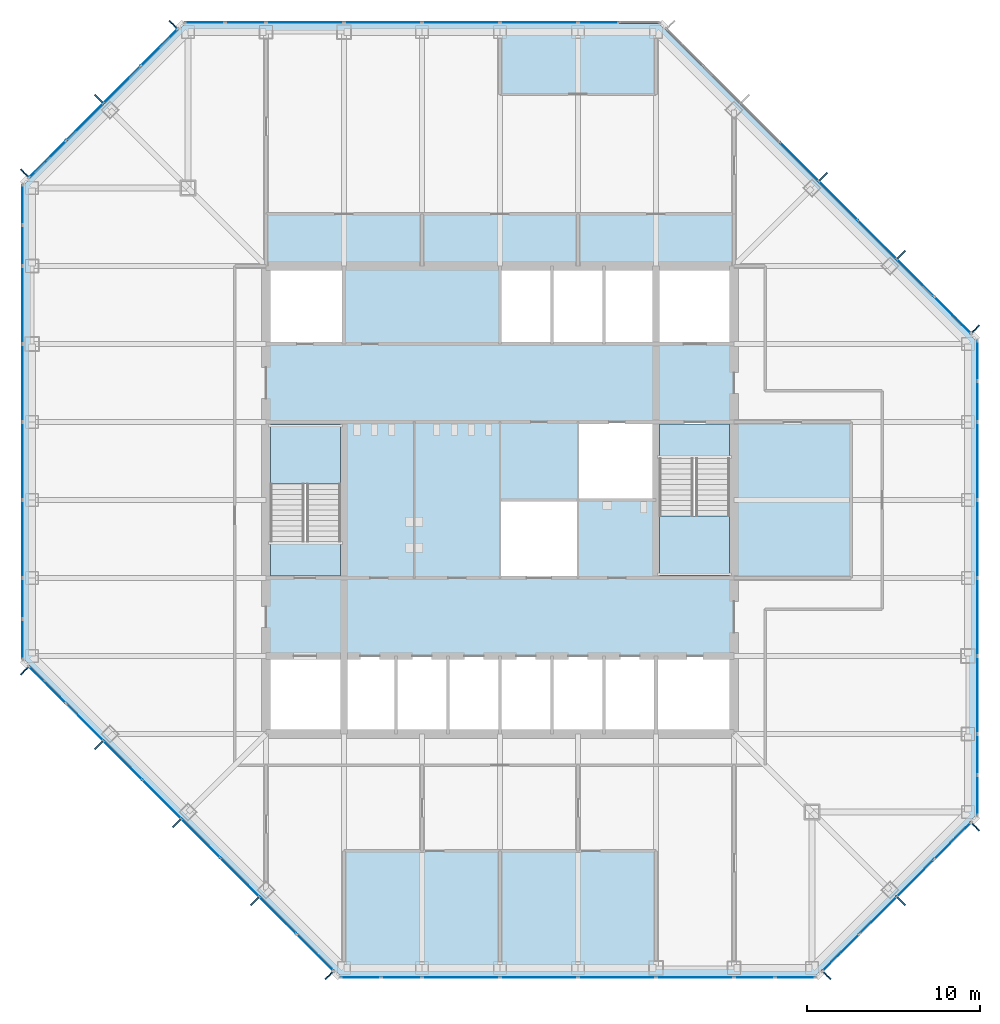
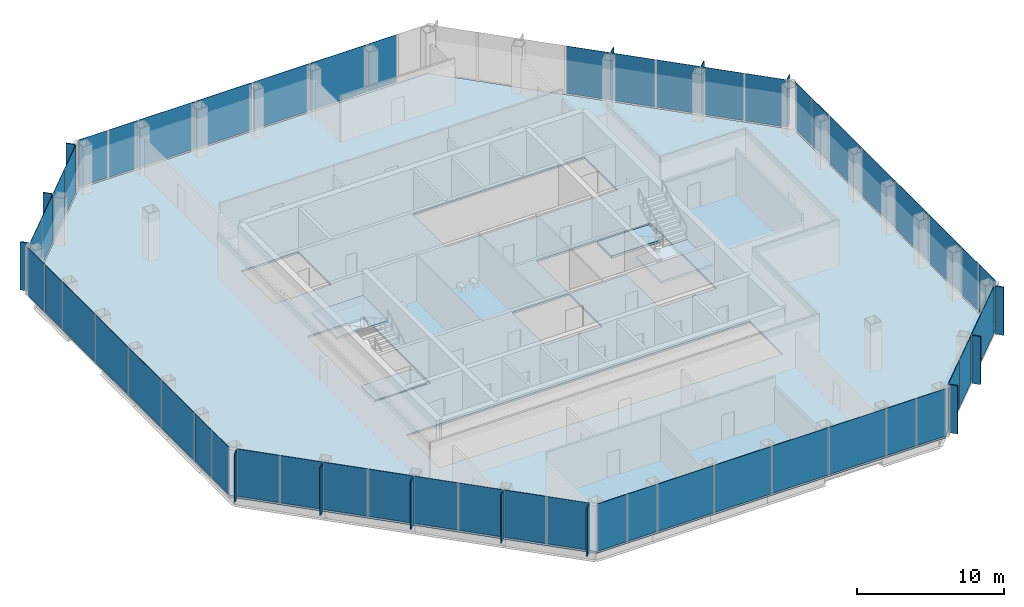
# One storey, part 7 of 12: 66 plates, 5 slabs, 10 elements without a shape of their own.
"""IFC4 building model written with IfcOpenShell, lengths in metres."""

from ifc_helpers import new_model, si_unit, direction, frame, origin, origin_2d, place, context, subcontext, project, spatial, polyline, rectangle, outline, extrude, material, layer, layer_set, type_object, element, aggregate, save


model = new_model("IFC4")

# Units and contexts
model_context = context("Model", 3, precision=1e-05, world=origin(), true_north=direction((0.0, 1.0)))
body_context = subcontext(model_context, "Body", "Model", "MODEL_VIEW")
ifc_project = project(units=[si_unit("LENGTHUNIT", "METRE"), si_unit("AREAUNIT", "SQUARE_METRE"), si_unit("VOLUMEUNIT", "CUBIC_METRE"), si_unit("PLANEANGLEUNIT", "RADIAN"), si_unit("MASSUNIT", "GRAM", prefix="KILO")], contexts=[model_context])

# Site, building, storey
site_placement = place(None, origin())
site = spatial("IfcSite", under=ifc_project, at=site_placement, CompositionType="ELEMENT")
building_placement = place(site_placement, origin())
building = spatial("IfcBuilding", under=site, at=building_placement, Name="Corais Broadcast Tower", CompositionType="ELEMENT")
storey_placement = place(building_placement, frame((0.0, 0.0, 187.60009765625)))
storey = spatial("IfcBuildingStorey", under=building, at=storey_placement, Name="L43", CompositionType="ELEMENT", Elevation=187.60009765625)

# Slab
ifc_material_1 = material(Name="Concrete C30/37", Category="concrete")
ifc_layer_1 = layer(ifc_material_1, 0.159912109375)
ifc_layer_set_1 = layer_set([ifc_layer_1], Name="Concrete C30/37")
slab_type_1 = type_object("IfcSlabType", Name="Composite floor slab 160", PredefinedType="FLOOR", material=ifc_layer_set_1)
slab_1_placement = place(storey_placement, frame((0.0, 0.0, -0.16015625)))
element("IfcSlab", 1, at=slab_1_placement, inside=storey, type_object=slab_type_1, Name="S160 floor slab L43", PredefinedType="FLOOR", context=body_context, shape_type="SweptSolid", body=[
    extrude(outline(polyline([(17.80126953125, -0.47998046875), (-0.47998046875, 17.80126953125), (-0.47998046875, 45.19873046875), (8.80126953125, 54.47998046875), (36.19873046875, 54.47998046875), (54.47998046875, 36.19873046875), (54.47998046875, 8.80126953125), (45.19873046875, -0.47998046875), (17.80126953125, -0.47998046875)]), holes=[polyline([(13.5, 18.0), (40.5, 18.0), (40.5, 13.5), (13.5, 13.5), (13.5, 18.0)]), polyline([(18.0, 22.5), (13.5, 22.5), (13.5, 31.5), (18.0, 31.5), (18.0, 22.5)]), polyline([(18.0, 36.0), (13.5, 36.0), (13.5, 40.5), (18.0, 40.5), (18.0, 36.0)]), polyline([(31.5, 22.5), (27.0, 22.5), (27.0, 27.0), (31.4951171875, 27.0), (31.4951171875, 27.0048828125), (31.5, 27.0048828125), (31.5, 31.5), (40.5, 31.5), (40.5, 22.5), (36.0, 22.5), (36.0, 27.0), (31.5048828125, 27.0), (31.5048828125, 26.9951171875), (31.5, 26.9951171875), (31.5, 22.5)]), polyline([(27.0, 40.5), (40.5, 40.5), (40.5, 36.0), (27.0, 36.0), (27.0, 40.5)])]), origin(), (0.0, 0.0, 1.0), 0.16015625),
])

# Curtain wall, plates
ifc_material_2 = material(Name="Aluminium and glass", Category="aluminium")
curtain_wall_type = type_object("IfcCurtainWallType", Name="Unitised fritted curtain wall CW2", PredefinedType="NOTDEFINED", material=ifc_material_2)
curtain_wall_1_placement = place(storey_placement, origin())
curtain_wall_1 = element("IfcCurtainWall", 2, at=curtain_wall_1_placement, inside=storey, type_object=curtain_wall_type, Name="CW2 curtain wall L43 1", PredefinedType="NOTDEFINED")
ifc_material_3 = material(Name="Ceramic-fritted laminated glass", Category="glass")
ifc_layer_2 = layer(ifc_material_3, 0.028076171875)
ifc_layer_set_2 = layer_set([ifc_layer_2], Name="Ceramic-fritted laminated glass")
plate_type_1 = type_object("IfcPlateType", Name="Fritted glass panel CW2", PredefinedType="CURTAIN_PANEL", material=ifc_layer_set_2)
plate_1_placement = place(storey_placement, frame((16.330322265625, 0.891845703125, 0.06494140625), z_axis=(0.0, 0.0, 1.0), x_axis=(-0.707106781187, 0.707106781187, 0.0)))
plate_1 = element("IfcPlate", 3, at=plate_1_placement, type_object=plate_type_1, Name="CW2 panel 1", PredefinedType="CURTAIN_PANEL", context=body_context, shape_type="SweptSolid", body=[
    extrude(rectangle(XDim=2.9482421875, YDim=0.028076171875, at=origin_2d()), origin(), (0.0, 0.0, 1.0), 3.93505859375),
])
plate_2_placement = place(storey_placement, frame((11.986083984375, 5.236083984375, 0.06494140625), z_axis=(0.0, 0.0, 1.0), x_axis=(-0.707106781187, 0.707106781187, 0.0)))
plate_2 = element("IfcPlate", 4, at=plate_2_placement, type_object=plate_type_1, Name="CW2 panel 3", PredefinedType="CURTAIN_PANEL", context=body_context, shape_type="SweptSolid", body=[
    extrude(rectangle(XDim=3.116943359375, YDim=0.028076171875, at=origin_2d()), origin(), (0.0, 0.0, 1.0), 3.93505859375),
])
plate_3_placement = place(storey_placement, frame((7.486083984375, 9.736083984375, 0.06494140625), z_axis=(0.0, 0.0, 1.0), x_axis=(-0.707106781187, 0.707106781187, 0.0)))
plate_3 = element("IfcPlate", 5, at=plate_3_placement, type_object=plate_type_1, Name="CW2 panel 5", PredefinedType="CURTAIN_PANEL", context=body_context, shape_type="SweptSolid", body=[
    extrude(rectangle(XDim=3.116943359375, YDim=0.028076171875, at=origin_2d()), origin(), (0.0, 0.0, 1.0), 3.93505859375),
])
plate_4_placement = place(storey_placement, frame((3.0341796875, 14.18798828125, 0.06494140625), z_axis=(0.0, 0.0, 1.0), x_axis=(-0.707106781187, 0.707106781187, 0.0)))
plate_4 = element("IfcPlate", 6, at=plate_4_placement, type_object=plate_type_1, Name="CW2 panel 7", PredefinedType="CURTAIN_PANEL", context=body_context, shape_type="SweptSolid", body=[
    extrude(rectangle(XDim=2.98095703125, YDim=0.028076171875, at=origin_2d()), origin(), (0.0, 0.0, 1.0), 3.93505859375),
])

curtain_wall_2_placement = place(storey_placement, origin())
curtain_wall_2 = element("IfcCurtainWall", 7, at=curtain_wall_2_placement, inside=storey, type_object=curtain_wall_type, Name="CW2 curtain wall L43 2", PredefinedType="NOTDEFINED")
plate_5_placement = place(storey_placement, frame((-0.550048828125, 18.970458984375, 0.06494140625), z_axis=(0.0, 0.0, 1.0), x_axis=(0.0, 1.0, 0.0)))
plate_5 = element("IfcPlate", 8, at=plate_5_placement, type_object=plate_type_1, Name="CW2 panel 1", PredefinedType="CURTAIN_PANEL", context=body_context, shape_type="SweptSolid", body=[
    extrude(rectangle(XDim=2.266357421875, YDim=0.028076171875, at=origin_2d()), origin(), (0.0, 0.0, 1.0), 3.93505859375),
])
plate_6_placement = place(storey_placement, frame((-0.550048828125, 24.75, 0.06494140625), z_axis=(0.0, 0.0, 1.0), x_axis=(0.0, 1.0, 0.0)))
plate_6 = element("IfcPlate", 9, at=plate_6_placement, type_object=plate_type_1, Name="CW2 panel 3", PredefinedType="CURTAIN_PANEL", context=body_context, shape_type="SweptSolid", body=[
    extrude(rectangle(XDim=4.43505859375, YDim=0.028076171875, at=origin_2d()), origin(), (0.0, 0.0, 1.0), 3.93505859375),
])
plate_7_placement = place(storey_placement, frame((-0.550048828125, 33.75, 0.06494140625), z_axis=(0.0, 0.0, 1.0), x_axis=(0.0, 1.0, 0.0)))
plate_7 = element("IfcPlate", 10, at=plate_7_placement, type_object=plate_type_1, Name="CW2 panel 5", PredefinedType="CURTAIN_PANEL", context=body_context, shape_type="SweptSolid", body=[
    extrude(rectangle(XDim=4.43505859375, YDim=0.028076171875, at=origin_2d()), origin(), (0.0, 0.0, 1.0), 3.93505859375),
])
plate_8_placement = place(storey_placement, frame((-0.550048828125, 41.681884765625, 0.06494140625), z_axis=(0.0, 0.0, 1.0), x_axis=(0.0, 1.0, 0.0)))
plate_8 = element("IfcPlate", 11, at=plate_8_placement, type_object=plate_type_1, Name="CW2 panel 7", PredefinedType="CURTAIN_PANEL", context=body_context, shape_type="SweptSolid", body=[
    extrude(rectangle(XDim=2.298828125, YDim=0.028076171875, at=origin_2d()), origin(), (0.0, 0.0, 1.0), 3.93505859375),
])

curtain_wall_3_placement = place(storey_placement, origin())
curtain_wall_3 = element("IfcCurtainWall", 12, at=curtain_wall_3_placement, inside=storey, type_object=curtain_wall_type, Name="CW2 curtain wall L43 3", PredefinedType="NOTDEFINED")
plate_9_placement = place(storey_placement, frame((0.891845703125, 46.669677734375, 0.06494140625), z_axis=(0.0, 0.0, 1.0), x_axis=(0.707106781187, 0.707106781187, 0.0)))
plate_9 = element("IfcPlate", 13, at=plate_9_placement, type_object=plate_type_1, Name="CW2 panel 1", PredefinedType="CURTAIN_PANEL", context=body_context, shape_type="SweptSolid", body=[
    extrude(rectangle(XDim=2.9482421875, YDim=0.028076171875, at=origin_2d()), origin(), (0.0, 0.0, 1.0), 3.93505859375),
])
plate_10_placement = place(storey_placement, frame((5.18798828125, 50.9658203125, 0.06494140625), z_axis=(0.0, 0.0, 1.0), x_axis=(0.707106781187, 0.707106781187, 0.0)))
plate_10 = element("IfcPlate", 14, at=plate_10_placement, type_object=plate_type_1, Name="CW2 panel 3", PredefinedType="CURTAIN_PANEL", context=body_context, shape_type="SweptSolid", body=[
    extrude(rectangle(XDim=2.98095703125, YDim=0.028076171875, at=origin_2d()), origin(), (0.0, 0.0, 1.0), 3.93505859375),
])

curtain_wall_4_placement = place(storey_placement, origin())
curtain_wall_4 = element("IfcCurtainWall", 15, at=curtain_wall_4_placement, inside=storey, type_object=curtain_wall_type, Name="CW2 curtain wall L43 4", PredefinedType="NOTDEFINED")
plate_11_placement = place(storey_placement, frame((9.970458984375, 54.550048828125, 0.06494140625), z_axis=(0.0, 0.0, 1.0), x_axis=(1.0, 0.0, 0.0)))
plate_11 = element("IfcPlate", 16, at=plate_11_placement, type_object=plate_type_1, Name="CW2 panel 1", PredefinedType="CURTAIN_PANEL", context=body_context, shape_type="SweptSolid", body=[
    extrude(rectangle(XDim=2.266357421875, YDim=0.028076171875, at=origin_2d()), origin(), (0.0, 0.0, 1.0), 3.93505859375),
])
plate_12_placement = place(storey_placement, frame((15.75, 54.550048828125, 0.06494140625), z_axis=(0.0, 0.0, 1.0), x_axis=(1.0, 0.0, 0.0)))
plate_12 = element("IfcPlate", 17, at=plate_12_placement, type_object=plate_type_1, Name="CW2 panel 3", PredefinedType="CURTAIN_PANEL", context=body_context, shape_type="SweptSolid", body=[
    extrude(rectangle(XDim=4.43505859375, YDim=0.028076171875, at=origin_2d()), origin(), (0.0, 0.0, 1.0), 3.93505859375),
])
plate_13_placement = place(storey_placement, frame((24.75, 54.550048828125, 0.06494140625), z_axis=(0.0, 0.0, 1.0), x_axis=(1.0, 0.0, 0.0)))
plate_13 = element("IfcPlate", 18, at=plate_13_placement, type_object=plate_type_1, Name="CW2 panel 5", PredefinedType="CURTAIN_PANEL", context=body_context, shape_type="SweptSolid", body=[
    extrude(rectangle(XDim=4.43505859375, YDim=0.028076171875, at=origin_2d()), origin(), (0.0, 0.0, 1.0), 3.93505859375),
])
plate_14_placement = place(storey_placement, frame((32.681884765625, 54.550048828125, 0.06494140625), z_axis=(0.0, 0.0, 1.0), x_axis=(1.0, 0.0, 0.0)))
plate_14 = element("IfcPlate", 19, at=plate_14_placement, type_object=plate_type_1, Name="CW2 panel 7", PredefinedType="CURTAIN_PANEL", context=body_context, shape_type="SweptSolid", body=[
    extrude(rectangle(XDim=2.298828125, YDim=0.028076171875, at=origin_2d()), origin(), (0.0, 0.0, 1.0), 3.93505859375),
])

curtain_wall_5_placement = place(storey_placement, origin())
curtain_wall_5 = element("IfcCurtainWall", 20, at=curtain_wall_5_placement, inside=storey, type_object=curtain_wall_type, Name="CW2 curtain wall L43 5", PredefinedType="NOTDEFINED")
plate_15_placement = place(storey_placement, frame((46.513916015625, 44.263916015625, 0.06494140625), z_axis=(0.0, 0.0, 1.0), x_axis=(0.707106781187, -0.707106781187, 0.0)))
plate_15 = element("IfcPlate", 21, at=plate_15_placement, type_object=plate_type_1, Name="CW2 panel 5", PredefinedType="CURTAIN_PANEL", context=body_context, shape_type="SweptSolid", body=[
    extrude(rectangle(XDim=3.116943359375, YDim=0.028076171875, at=origin_2d()), origin(), (0.0, 0.0, 1.0), 3.93505859375),
])
plate_16_placement = place(storey_placement, frame((50.9658203125, 39.81201171875, 0.06494140625), z_axis=(0.0, 0.0, 1.0), x_axis=(0.707106781187, -0.707106781187, 0.0)))
plate_16 = element("IfcPlate", 22, at=plate_16_placement, type_object=plate_type_1, Name="CW2 panel 7", PredefinedType="CURTAIN_PANEL", context=body_context, shape_type="SweptSolid", body=[
    extrude(rectangle(XDim=2.98095703125, YDim=0.028076171875, at=origin_2d()), origin(), (0.0, 0.0, 1.0), 3.93505859375),
])

curtain_wall_6_placement = place(storey_placement, origin())
curtain_wall_6 = element("IfcCurtainWall", 23, at=curtain_wall_6_placement, inside=storey, type_object=curtain_wall_type, Name="CW2 curtain wall L43 6", PredefinedType="NOTDEFINED")
plate_17_placement = place(storey_placement, frame((54.550048828125, 35.029541015625, 0.06494140625), z_axis=(0.0, 0.0, 1.0), x_axis=(0.0, -1.0, 0.0)))
plate_17 = element("IfcPlate", 24, at=plate_17_placement, type_object=plate_type_1, Name="CW2 panel 1", PredefinedType="CURTAIN_PANEL", context=body_context, shape_type="SweptSolid", body=[
    extrude(rectangle(XDim=2.266357421875, YDim=0.028076171875, at=origin_2d()), origin(), (0.0, 0.0, 1.0), 3.93505859375),
])
plate_18_placement = place(storey_placement, frame((54.550048828125, 29.25, 0.06494140625), z_axis=(0.0, 0.0, 1.0), x_axis=(0.0, -1.0, 0.0)))
plate_18 = element("IfcPlate", 25, at=plate_18_placement, type_object=plate_type_1, Name="CW2 panel 3", PredefinedType="CURTAIN_PANEL", context=body_context, shape_type="SweptSolid", body=[
    extrude(rectangle(XDim=4.43505859375, YDim=0.028076171875, at=origin_2d()), origin(), (0.0, 0.0, 1.0), 3.93505859375),
])
plate_19_placement = place(storey_placement, frame((54.550048828125, 20.25, 0.06494140625), z_axis=(0.0, 0.0, 1.0), x_axis=(0.0, -1.0, 0.0)))
plate_19 = element("IfcPlate", 26, at=plate_19_placement, type_object=plate_type_1, Name="CW2 panel 5", PredefinedType="CURTAIN_PANEL", context=body_context, shape_type="SweptSolid", body=[
    extrude(rectangle(XDim=4.43505859375, YDim=0.028076171875, at=origin_2d()), origin(), (0.0, 0.0, 1.0), 3.93505859375),
])
plate_20_placement = place(storey_placement, frame((54.550048828125, 12.318115234375, 0.06494140625), z_axis=(0.0, 0.0, 1.0), x_axis=(0.0, -1.0, 0.0)))
plate_20 = element("IfcPlate", 27, at=plate_20_placement, type_object=plate_type_1, Name="CW2 panel 7", PredefinedType="CURTAIN_PANEL", context=body_context, shape_type="SweptSolid", body=[
    extrude(rectangle(XDim=2.298828125, YDim=0.028076171875, at=origin_2d()), origin(), (0.0, 0.0, 1.0), 3.93505859375),
])

curtain_wall_7_placement = place(storey_placement, origin())
curtain_wall_7 = element("IfcCurtainWall", 28, at=curtain_wall_7_placement, inside=storey, type_object=curtain_wall_type, Name="CW2 curtain wall L43 7", PredefinedType="NOTDEFINED")
plate_21_placement = place(storey_placement, frame((53.108154296875, 7.330322265625, 0.06494140625), z_axis=(0.0, 0.0, 1.0), x_axis=(-0.707106781187, -0.707106781187, 0.0)))
plate_21 = element("IfcPlate", 29, at=plate_21_placement, type_object=plate_type_1, Name="CW2 panel 1", PredefinedType="CURTAIN_PANEL", context=body_context, shape_type="SweptSolid", body=[
    extrude(rectangle(XDim=2.9482421875, YDim=0.028076171875, at=origin_2d()), origin(), (0.0, 0.0, 1.0), 3.93505859375),
])
plate_22_placement = place(storey_placement, frame((48.81201171875, 3.0341796875, 0.06494140625), z_axis=(0.0, 0.0, 1.0), x_axis=(-0.707106781187, -0.707106781187, 0.0)))
plate_22 = element("IfcPlate", 30, at=plate_22_placement, type_object=plate_type_1, Name="CW2 panel 3", PredefinedType="CURTAIN_PANEL", context=body_context, shape_type="SweptSolid", body=[
    extrude(rectangle(XDim=2.98095703125, YDim=0.028076171875, at=origin_2d()), origin(), (0.0, 0.0, 1.0), 3.93505859375),
])

curtain_wall_8_placement = place(storey_placement, origin())
curtain_wall_8 = element("IfcCurtainWall", 31, at=curtain_wall_8_placement, inside=storey, type_object=curtain_wall_type, Name="CW2 curtain wall L43 8", PredefinedType="NOTDEFINED")
plate_23_placement = place(storey_placement, frame((44.029541015625, -0.550048828125, 0.06494140625), z_axis=(0.0, 0.0, 1.0), x_axis=(-1.0, 0.0, 0.0)))
plate_23 = element("IfcPlate", 32, at=plate_23_placement, type_object=plate_type_1, Name="CW2 panel 1", PredefinedType="CURTAIN_PANEL", context=body_context, shape_type="SweptSolid", body=[
    extrude(rectangle(XDim=2.266357421875, YDim=0.028076171875, at=origin_2d()), origin(), (0.0, 0.0, 1.0), 3.93505859375),
])
plate_24_placement = place(storey_placement, frame((38.25, -0.550048828125, 0.06494140625), z_axis=(0.0, 0.0, 1.0), x_axis=(-1.0, 0.0, 0.0)))
plate_24 = element("IfcPlate", 33, at=plate_24_placement, type_object=plate_type_1, Name="CW2 panel 3", PredefinedType="CURTAIN_PANEL", context=body_context, shape_type="SweptSolid", body=[
    extrude(rectangle(XDim=4.43505859375, YDim=0.028076171875, at=origin_2d()), origin(), (0.0, 0.0, 1.0), 3.93505859375),
])
plate_25_placement = place(storey_placement, frame((29.25, -0.550048828125, 0.06494140625), z_axis=(0.0, 0.0, 1.0), x_axis=(-1.0, 0.0, 0.0)))
plate_25 = element("IfcPlate", 34, at=plate_25_placement, type_object=plate_type_1, Name="CW2 panel 5", PredefinedType="CURTAIN_PANEL", context=body_context, shape_type="SweptSolid", body=[
    extrude(rectangle(XDim=4.43505859375, YDim=0.028076171875, at=origin_2d()), origin(), (0.0, 0.0, 1.0), 3.93505859375),
])
plate_26_placement = place(storey_placement, frame((21.318115234375, -0.550048828125, 0.06494140625), z_axis=(0.0, 0.0, 1.0), x_axis=(-1.0, 0.0, 0.0)))
plate_26 = element("IfcPlate", 35, at=plate_26_placement, type_object=plate_type_1, Name="CW2 panel 7", PredefinedType="CURTAIN_PANEL", context=body_context, shape_type="SweptSolid", body=[
    extrude(rectangle(XDim=2.298828125, YDim=0.028076171875, at=origin_2d()), origin(), (0.0, 0.0, 1.0), 3.93505859375),
])

# Plate
ifc_material_4 = material(Name="Clear laminated glass", Category="glass")
ifc_layer_3 = layer(ifc_material_4, 0.031982421875)
ifc_layer_set_3 = layer_set([ifc_layer_3], Name="Clear laminated glass")
plate_type_2 = type_object("IfcPlateType", Name="Operable glass panel CW2", PredefinedType="CURTAIN_PANEL", material=ifc_layer_set_3)
plate_27_placement = place(storey_placement, frame((14.18798828125, 3.0341796875, 0.06494140625), z_axis=(0.0, 0.0, 1.0), x_axis=(-0.707106781187, 0.707106781187, 0.0)))
plate_27 = element("IfcPlate", 36, at=plate_27_placement, type_object=plate_type_2, Name="CW2 operable panel 2", PredefinedType="CURTAIN_PANEL", context=body_context, shape_type="SweptSolid", body=[
    extrude(rectangle(XDim=2.98095703125, YDim=0.031982421875, at=origin_2d()), origin(), (0.0, 0.0, 1.0), 3.93505859375),
])

plate_28_placement = place(storey_placement, frame((9.736083984375, 7.486083984375, 0.06494140625), z_axis=(0.0, 0.0, 1.0), x_axis=(-0.707106781187, 0.707106781187, 0.0)))
plate_28 = element("IfcPlate", 37, at=plate_28_placement, type_object=plate_type_2, Name="CW2 operable panel 4", PredefinedType="CURTAIN_PANEL", context=body_context, shape_type="SweptSolid", body=[
    extrude(rectangle(XDim=3.116943359375, YDim=0.031982421875, at=origin_2d()), origin(), (0.0, 0.0, 1.0), 3.93505859375),
])

plate_29_placement = place(storey_placement, frame((5.236083984375, 11.986083984375, 0.06494140625), z_axis=(0.0, 0.0, 1.0), x_axis=(-0.707106781187, 0.707106781187, 0.0)))
plate_29 = element("IfcPlate", 38, at=plate_29_placement, type_object=plate_type_2, Name="CW2 operable panel 6", PredefinedType="CURTAIN_PANEL", context=body_context, shape_type="SweptSolid", body=[
    extrude(rectangle(XDim=3.116943359375, YDim=0.031982421875, at=origin_2d()), origin(), (0.0, 0.0, 1.0), 3.93505859375),
])

plate_30_placement = place(storey_placement, frame((0.89208984375, 16.330322265625, 0.06494140625), z_axis=(0.0, 0.0, 1.0), x_axis=(-0.707106781187, 0.707106781187, 0.0)))
plate_30 = element("IfcPlate", 39, at=plate_30_placement, type_object=plate_type_2, Name="CW2 operable panel 8", PredefinedType="CURTAIN_PANEL", context=body_context, shape_type="SweptSolid", body=[
    extrude(rectangle(XDim=2.948486328125, YDim=0.031982421875, at=origin_2d()), origin(), (0.0, 0.0, 1.0), 3.93505859375),
])

aggregate(curtain_wall_1, [plate_1, plate_27, plate_2, plate_28, plate_3, plate_29, plate_4, plate_30])

plate_31_placement = place(storey_placement, frame((-0.550048828125, 21.318115234375, 0.06494140625), z_axis=(0.0, 0.0, 1.0), x_axis=(0.0, 1.0, 0.0)))
plate_31 = element("IfcPlate", 40, at=plate_31_placement, type_object=plate_type_2, Name="CW2 operable panel 2", PredefinedType="CURTAIN_PANEL", context=body_context, shape_type="SweptSolid", body=[
    extrude(rectangle(XDim=2.298828125, YDim=0.031982421875, at=origin_2d()), origin(), (0.0, 0.0, 1.0), 3.93505859375),
])

plate_32_placement = place(storey_placement, frame((-0.550048828125, 29.25, 0.06494140625), z_axis=(0.0, 0.0, 1.0), x_axis=(0.0, 1.0, 0.0)))
plate_32 = element("IfcPlate", 41, at=plate_32_placement, type_object=plate_type_2, Name="CW2 operable panel 4", PredefinedType="CURTAIN_PANEL", context=body_context, shape_type="SweptSolid", body=[
    extrude(rectangle(XDim=4.43505859375, YDim=0.031982421875, at=origin_2d()), origin(), (0.0, 0.0, 1.0), 3.93505859375),
])

plate_33_placement = place(storey_placement, frame((-0.550048828125, 38.25, 0.06494140625), z_axis=(0.0, 0.0, 1.0), x_axis=(0.0, 1.0, 0.0)))
plate_33 = element("IfcPlate", 42, at=plate_33_placement, type_object=plate_type_2, Name="CW2 operable panel 6", PredefinedType="CURTAIN_PANEL", context=body_context, shape_type="SweptSolid", body=[
    extrude(rectangle(XDim=4.43505859375, YDim=0.031982421875, at=origin_2d()), origin(), (0.0, 0.0, 1.0), 3.93505859375),
])

plate_34_placement = place(storey_placement, frame((-0.550048828125, 44.029541015625, 0.06494140625), z_axis=(0.0, 0.0, 1.0), x_axis=(0.0, 1.0, 0.0)))
plate_34 = element("IfcPlate", 43, at=plate_34_placement, type_object=plate_type_2, Name="CW2 operable panel 8", PredefinedType="CURTAIN_PANEL", context=body_context, shape_type="SweptSolid", body=[
    extrude(rectangle(XDim=2.266357421875, YDim=0.031982421875, at=origin_2d()), origin(), (0.0, 0.0, 1.0), 3.93505859375),
])

aggregate(curtain_wall_2, [plate_5, plate_31, plate_6, plate_32, plate_7, plate_33, plate_8, plate_34])

plate_35_placement = place(storey_placement, frame((3.0341796875, 48.81201171875, 0.06494140625), z_axis=(0.0, 0.0, 1.0), x_axis=(0.707106781187, 0.707106781187, 0.0)))
plate_35 = element("IfcPlate", 44, at=plate_35_placement, type_object=plate_type_2, Name="CW2 operable panel 2", PredefinedType="CURTAIN_PANEL", context=body_context, shape_type="SweptSolid", body=[
    extrude(rectangle(XDim=2.98095703125, YDim=0.031982421875, at=origin_2d()), origin(), (0.0, 0.0, 1.0), 3.93505859375),
])

plate_36_placement = place(storey_placement, frame((7.330322265625, 53.10791015625, 0.06494140625), z_axis=(0.0, 0.0, 1.0), x_axis=(0.707106781187, 0.707106781187, 0.0)))
plate_36 = element("IfcPlate", 45, at=plate_36_placement, type_object=plate_type_2, Name="CW2 operable panel 4", PredefinedType="CURTAIN_PANEL", context=body_context, shape_type="SweptSolid", body=[
    extrude(rectangle(XDim=2.948486328125, YDim=0.031982421875, at=origin_2d()), origin(), (0.0, 0.0, 1.0), 3.93505859375),
])

aggregate(curtain_wall_3, [plate_9, plate_35, plate_10, plate_36])

plate_37_placement = place(storey_placement, frame((12.318115234375, 54.550048828125, 0.06494140625), z_axis=(0.0, 0.0, 1.0), x_axis=(1.0, 0.0, 0.0)))
plate_37 = element("IfcPlate", 46, at=plate_37_placement, type_object=plate_type_2, Name="CW2 operable panel 2", PredefinedType="CURTAIN_PANEL", context=body_context, shape_type="SweptSolid", body=[
    extrude(rectangle(XDim=2.298828125, YDim=0.031982421875, at=origin_2d()), origin(), (0.0, 0.0, 1.0), 3.93505859375),
])

plate_38_placement = place(storey_placement, frame((20.25, 54.550048828125, 0.06494140625), z_axis=(0.0, 0.0, 1.0), x_axis=(1.0, 0.0, 0.0)))
plate_38 = element("IfcPlate", 47, at=plate_38_placement, type_object=plate_type_2, Name="CW2 operable panel 4", PredefinedType="CURTAIN_PANEL", context=body_context, shape_type="SweptSolid", body=[
    extrude(rectangle(XDim=4.43505859375, YDim=0.031982421875, at=origin_2d()), origin(), (0.0, 0.0, 1.0), 3.93505859375),
])

plate_39_placement = place(storey_placement, frame((29.25, 54.550048828125, 0.06494140625), z_axis=(0.0, 0.0, 1.0), x_axis=(1.0, 0.0, 0.0)))
plate_39 = element("IfcPlate", 48, at=plate_39_placement, type_object=plate_type_2, Name="CW2 operable panel 6", PredefinedType="CURTAIN_PANEL", context=body_context, shape_type="SweptSolid", body=[
    extrude(rectangle(XDim=4.43505859375, YDim=0.031982421875, at=origin_2d()), origin(), (0.0, 0.0, 1.0), 3.93505859375),
])

aggregate(curtain_wall_4, [plate_11, plate_37, plate_12, plate_38, plate_13, plate_39, plate_14])

plate_40_placement = place(storey_placement, frame((44.263916015625, 46.513916015625, 0.06494140625), z_axis=(0.0, 0.0, 1.0), x_axis=(0.707106781187, -0.707106781187, 0.0)))
plate_40 = element("IfcPlate", 49, at=plate_40_placement, type_object=plate_type_2, Name="CW2 operable panel 4", PredefinedType="CURTAIN_PANEL", context=body_context, shape_type="SweptSolid", body=[
    extrude(rectangle(XDim=3.116943359375, YDim=0.031982421875, at=origin_2d()), origin(), (0.0, 0.0, 1.0), 3.93505859375),
])

plate_41_placement = place(storey_placement, frame((48.763916015625, 42.013916015625, 0.06494140625), z_axis=(0.0, 0.0, 1.0), x_axis=(0.707106781187, -0.707106781187, 0.0)))
plate_41 = element("IfcPlate", 50, at=plate_41_placement, type_object=plate_type_2, Name="CW2 operable panel 6", PredefinedType="CURTAIN_PANEL", context=body_context, shape_type="SweptSolid", body=[
    extrude(rectangle(XDim=3.116943359375, YDim=0.031982421875, at=origin_2d()), origin(), (0.0, 0.0, 1.0), 3.93505859375),
])

plate_42_placement = place(storey_placement, frame((53.10791015625, 37.669677734375, 0.06494140625), z_axis=(0.0, 0.0, 1.0), x_axis=(0.707106781187, -0.707106781187, 0.0)))
plate_42 = element("IfcPlate", 51, at=plate_42_placement, type_object=plate_type_2, Name="CW2 operable panel 8", PredefinedType="CURTAIN_PANEL", context=body_context, shape_type="SweptSolid", body=[
    extrude(rectangle(XDim=2.948486328125, YDim=0.031982421875, at=origin_2d()), origin(), (0.0, 0.0, 1.0), 3.93505859375),
])

aggregate(curtain_wall_5, [plate_40, plate_15, plate_41, plate_16, plate_42])

plate_43_placement = place(storey_placement, frame((54.550048828125, 32.681884765625, 0.06494140625), z_axis=(0.0, 0.0, 1.0), x_axis=(0.0, -1.0, 0.0)))
plate_43 = element("IfcPlate", 52, at=plate_43_placement, type_object=plate_type_2, Name="CW2 operable panel 2", PredefinedType="CURTAIN_PANEL", context=body_context, shape_type="SweptSolid", body=[
    extrude(rectangle(XDim=2.298828125, YDim=0.031982421875, at=origin_2d()), origin(), (0.0, 0.0, 1.0), 3.93505859375),
])

plate_44_placement = place(storey_placement, frame((54.550048828125, 24.75, 0.06494140625), z_axis=(0.0, 0.0, 1.0), x_axis=(0.0, -1.0, 0.0)))
plate_44 = element("IfcPlate", 53, at=plate_44_placement, type_object=plate_type_2, Name="CW2 operable panel 4", PredefinedType="CURTAIN_PANEL", context=body_context, shape_type="SweptSolid", body=[
    extrude(rectangle(XDim=4.43505859375, YDim=0.031982421875, at=origin_2d()), origin(), (0.0, 0.0, 1.0), 3.93505859375),
])

plate_45_placement = place(storey_placement, frame((54.550048828125, 15.75, 0.06494140625), z_axis=(0.0, 0.0, 1.0), x_axis=(0.0, -1.0, 0.0)))
plate_45 = element("IfcPlate", 54, at=plate_45_placement, type_object=plate_type_2, Name="CW2 operable panel 6", PredefinedType="CURTAIN_PANEL", context=body_context, shape_type="SweptSolid", body=[
    extrude(rectangle(XDim=4.43505859375, YDim=0.031982421875, at=origin_2d()), origin(), (0.0, 0.0, 1.0), 3.93505859375),
])

plate_46_placement = place(storey_placement, frame((54.550048828125, 9.970458984375, 0.06494140625), z_axis=(0.0, 0.0, 1.0), x_axis=(0.0, -1.0, 0.0)))
plate_46 = element("IfcPlate", 55, at=plate_46_placement, type_object=plate_type_2, Name="CW2 operable panel 8", PredefinedType="CURTAIN_PANEL", context=body_context, shape_type="SweptSolid", body=[
    extrude(rectangle(XDim=2.266357421875, YDim=0.031982421875, at=origin_2d()), origin(), (0.0, 0.0, 1.0), 3.93505859375),
])

aggregate(curtain_wall_6, [plate_17, plate_43, plate_18, plate_44, plate_19, plate_45, plate_20, plate_46])

plate_47_placement = place(storey_placement, frame((50.9658203125, 5.18798828125, 0.06494140625), z_axis=(0.0, 0.0, 1.0), x_axis=(-0.707106781187, -0.707106781187, 0.0)))
plate_47 = element("IfcPlate", 56, at=plate_47_placement, type_object=plate_type_2, Name="CW2 operable panel 2", PredefinedType="CURTAIN_PANEL", context=body_context, shape_type="SweptSolid", body=[
    extrude(rectangle(XDim=2.98095703125, YDim=0.031982421875, at=origin_2d()), origin(), (0.0, 0.0, 1.0), 3.93505859375),
])

plate_48_placement = place(storey_placement, frame((46.669677734375, 0.89208984375, 0.06494140625), z_axis=(0.0, 0.0, 1.0), x_axis=(-0.707106781187, -0.707106781187, 0.0)))
plate_48 = element("IfcPlate", 57, at=plate_48_placement, type_object=plate_type_2, Name="CW2 operable panel 4", PredefinedType="CURTAIN_PANEL", context=body_context, shape_type="SweptSolid", body=[
    extrude(rectangle(XDim=2.948486328125, YDim=0.031982421875, at=origin_2d()), origin(), (0.0, 0.0, 1.0), 3.93505859375),
])

aggregate(curtain_wall_7, [plate_21, plate_47, plate_22, plate_48])

plate_49_placement = place(storey_placement, frame((41.681884765625, -0.550048828125, 0.06494140625), z_axis=(0.0, 0.0, 1.0), x_axis=(-1.0, 0.0, 0.0)))
plate_49 = element("IfcPlate", 58, at=plate_49_placement, type_object=plate_type_2, Name="CW2 operable panel 2", PredefinedType="CURTAIN_PANEL", context=body_context, shape_type="SweptSolid", body=[
    extrude(rectangle(XDim=2.298828125, YDim=0.031982421875, at=origin_2d()), origin(), (0.0, 0.0, 1.0), 3.93505859375),
])

plate_50_placement = place(storey_placement, frame((33.75, -0.550048828125, 0.06494140625), z_axis=(0.0, 0.0, 1.0), x_axis=(-1.0, 0.0, 0.0)))
plate_50 = element("IfcPlate", 59, at=plate_50_placement, type_object=plate_type_2, Name="CW2 operable panel 4", PredefinedType="CURTAIN_PANEL", context=body_context, shape_type="SweptSolid", body=[
    extrude(rectangle(XDim=4.43505859375, YDim=0.031982421875, at=origin_2d()), origin(), (0.0, 0.0, 1.0), 3.93505859375),
])

plate_51_placement = place(storey_placement, frame((24.75, -0.550048828125, 0.06494140625), z_axis=(0.0, 0.0, 1.0), x_axis=(-1.0, 0.0, 0.0)))
plate_51 = element("IfcPlate", 60, at=plate_51_placement, type_object=plate_type_2, Name="CW2 operable panel 6", PredefinedType="CURTAIN_PANEL", context=body_context, shape_type="SweptSolid", body=[
    extrude(rectangle(XDim=4.43505859375, YDim=0.031982421875, at=origin_2d()), origin(), (0.0, 0.0, 1.0), 3.93505859375),
])

plate_52_placement = place(storey_placement, frame((18.970458984375, -0.550048828125, 0.06494140625), z_axis=(0.0, 0.0, 1.0), x_axis=(-1.0, 0.0, 0.0)))
plate_52 = element("IfcPlate", 61, at=plate_52_placement, type_object=plate_type_2, Name="CW2 operable panel 8", PredefinedType="CURTAIN_PANEL", context=body_context, shape_type="SweptSolid", body=[
    extrude(rectangle(XDim=2.266357421875, YDim=0.031982421875, at=origin_2d()), origin(), (0.0, 0.0, 1.0), 3.93505859375),
])

aggregate(curtain_wall_8, [plate_23, plate_49, plate_24, plate_50, plate_25, plate_51, plate_26, plate_52])

# Stair, slabs
ifc_material_5 = material(Name="Concrete C30/37", Category="concrete")
stair_type = type_object("IfcStairType", Name="Half-turn stair 4000", PredefinedType="HALF_TURN_STAIR", material=ifc_material_5)
stair_1_placement = place(storey_placement, origin())
stair_1 = element("IfcStair", 62, at=stair_1_placement, inside=storey, type_object=stair_type, Name="Stair A L43", PredefinedType="HALF_TURN_STAIR")
ifc_material_6 = material(Name="Concrete C30/37", Category="concrete")
ifc_layer_4 = layer(ifc_material_6, 0.199951171875)
ifc_layer_set_4 = layer_set([ifc_layer_4], Name="Concrete C30/37")
slab_type_2 = type_object("IfcSlabType", Name="Stair landing 200", PredefinedType="LANDING", material=ifc_layer_set_4)
slab_2_placement = place(storey_placement, frame((0.0, 0.0, -0.2001953125)))
slab_2 = element("IfcSlab", 63, at=slab_2_placement, type_object=slab_type_2, Name="STA landing 1", PredefinedType="LANDING", context=body_context, shape_type="SweptSolid", body=[
    extrude(outline(polyline([(13.75, 22.625), (17.800048828125, 22.625), (17.800048828125, 24.60009765625), (13.75, 24.60009765625), (13.75, 22.625)])), origin(), (0.0, 0.0, 1.0), 0.2001953125),
])
slab_3_placement = place(storey_placement, frame((0.0, 0.0, 1.7998046875)))
slab_3 = element("IfcSlab", 64, at=slab_3_placement, type_object=slab_type_2, Name="STA landing 2", PredefinedType="LANDING", context=body_context, shape_type="SweptSolid", body=[
    extrude(outline(polyline([(13.75, 27.922119140625), (17.800048828125, 27.922119140625), (17.800048828125, 31.375), (13.75, 31.375), (13.75, 27.922119140625)])), origin(), (0.0, 0.0, 1.0), 0.2001953125),
])
aggregate(stair_1, [slab_2, slab_3])

stair_2_placement = place(storey_placement, origin())
stair_2 = element("IfcStair", 65, at=stair_2_placement, inside=storey, type_object=stair_type, Name="Stair B L43", PredefinedType="HALF_TURN_STAIR")
slab_4_placement = place(storey_placement, frame((0.0, 0.0, -0.2001953125)))
slab_4 = element("IfcSlab", 66, at=slab_4_placement, type_object=slab_type_2, Name="STB landing 1", PredefinedType="LANDING", context=body_context, shape_type="SweptSolid", body=[
    extrude(outline(polyline([(36.199951171875, 29.39990234375), (40.25, 29.39990234375), (40.25, 31.375), (36.199951171875, 31.375), (36.199951171875, 29.39990234375)])), origin(), (0.0, 0.0, 1.0), 0.2001953125),
])
slab_5_placement = place(storey_placement, frame((0.0, 0.0, 1.7998046875)))
slab_5 = element("IfcSlab", 67, at=slab_5_placement, type_object=slab_type_2, Name="STB landing 2", PredefinedType="LANDING", context=body_context, shape_type="SweptSolid", body=[
    extrude(outline(polyline([(36.199951171875, 22.625), (40.25, 22.625), (40.25, 26.077880859375), (36.199951171875, 26.077880859375), (36.199951171875, 22.625)])), origin(), (0.0, 0.0, 1.0), 0.2001953125),
])
aggregate(stair_2, [slab_4, slab_5])

# Plates
ifc_material_7 = material(Name="Granite stone cladding", Category="masonry")
ifc_layer_5 = layer(ifc_material_7, 0.080078125)
ifc_layer_set_5 = layer_set([ifc_layer_5], Name="Granite stone cladding")
plate_type_3 = type_object("IfcPlateType", Name="Stone screen fin 80x600", PredefinedType="USERDEFINED", material=ifc_layer_set_5)
for number, where, z_axis, x_axis, name in (
    (68, (17.1220703125, -0.447021484375, 0.0), (0.0, 0.0, 1.0), (-0.707106781187, 0.707106781187, 0.0), "SF1 stone screen fin L43"),
    (69, (12.83740234375, 3.83740234375, 0.0), (0.0, 0.0, 1.0), (-0.707106781187, 0.707106781187, 0.0), "SF1 stone screen fin L43"),
    (70, (8.33740234375, 8.33740234375, 0.0), (0.0, 0.0, 1.0), (-0.707106781187, 0.707106781187, 0.0), "SF1 stone screen fin L43"),
    (71, (3.83740234375, 12.83740234375, 0.0), (0.0, 0.0, 1.0), (-0.707106781187, 0.707106781187, 0.0), "SF1 stone screen fin L43"),
    (72, (-0.447021484375, 17.1220703125, 0.0), (0.0, 0.0, 1.0), (-0.707106781187, 0.707106781187, 0.0), "SF1 stone screen fin L43"),
    (73, (-0.447021484375, 45.8779296875, 0.0), (0.0, 0.0, 1.0), (0.707106781187, 0.707106781187, 0.0), "SF1 stone screen fin L43"),
    (74, (3.83740234375, 50.16259765625, 0.0), (0.0, 0.0, 1.0), (0.707106781187, 0.707106781187, 0.0), "SF1 stone screen fin L43"),
    (75, (8.1220703125, 54.447021484375, 0.0), (0.0, 0.0, 1.0), (0.707106781187, 0.707106781187, 0.0), "SF1 stone screen fin L43"),
    (76, (45.66259765625, 45.66259765625, 0.0), (0.0, 0.0, 1.0), (0.707106781187, -0.707106781187, 0.0), "SF1 stone screen fin L43"),
    (77, (50.16259765625, 41.16259765625, 0.0), (0.0, 0.0, 1.0), (0.707106781187, -0.707106781187, 0.0), "SF1 stone screen fin L43"),
    (78, (54.447021484375, 36.8779296875, 0.0), (0.0, 0.0, 1.0), (0.707106781187, -0.707106781187, 0.0), "SF1 stone screen fin L43"),
    (79, (54.447021484375, 8.1220703125, 0.0), (0.0, 0.0, 1.0), (-0.707106781187, -0.707106781187, 0.0), "SF1 stone screen fin L43"),
    (80, (50.16259765625, 3.83740234375, 0.0), (0.0, 0.0, 1.0), (-0.707106781187, -0.707106781187, 0.0), "SF1 stone screen fin L43"),
    (81, (45.8779296875, -0.447021484375, 0.0), (0.0, 0.0, 1.0), (-0.707106781187, -0.707106781187, 0.0), "SF1 stone screen fin L43"),
):
    element("IfcPlate", number, at=place(storey_placement, frame(where, z_axis=z_axis, x_axis=x_axis)), inside=storey, type_object=plate_type_3, Name=name, ObjectType="STONE SCREEN FIN", PredefinedType="USERDEFINED", context=body_context, shape_type="SweptSolid", body=[
        extrude(rectangle(XDim=0.080078125, YDim=0.60009765625, at=origin_2d()), origin(), (0.0, 0.0, 1.0), 4.0),
    ])

save(model, "model.ifc")
